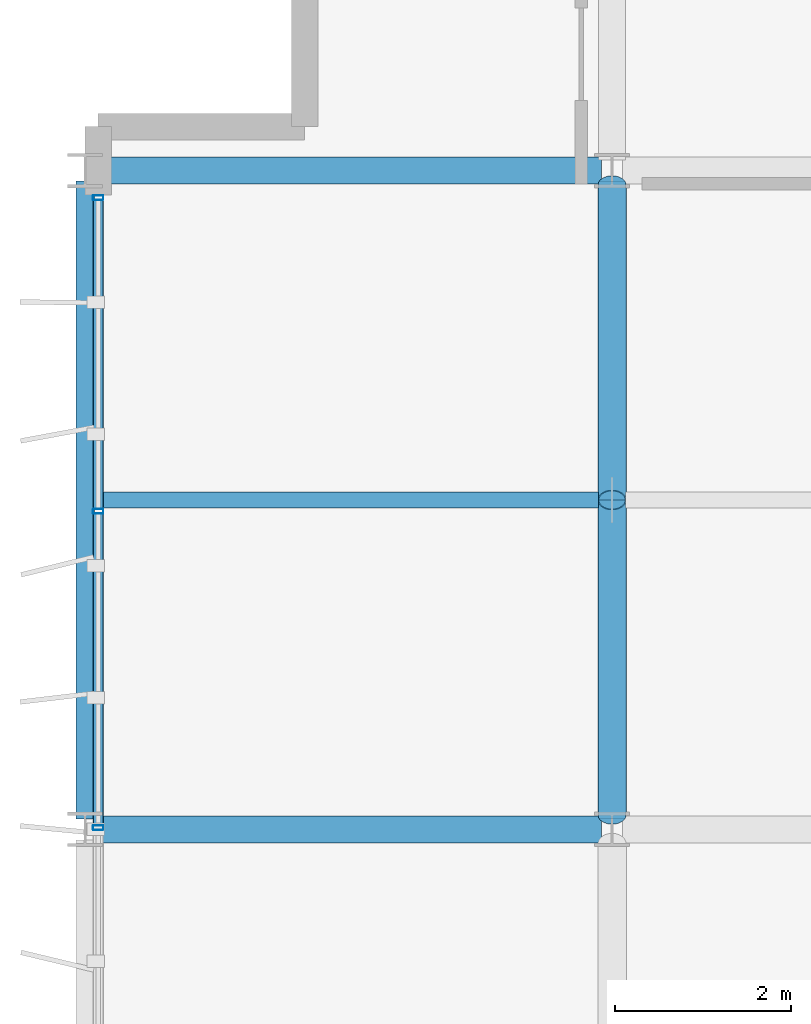
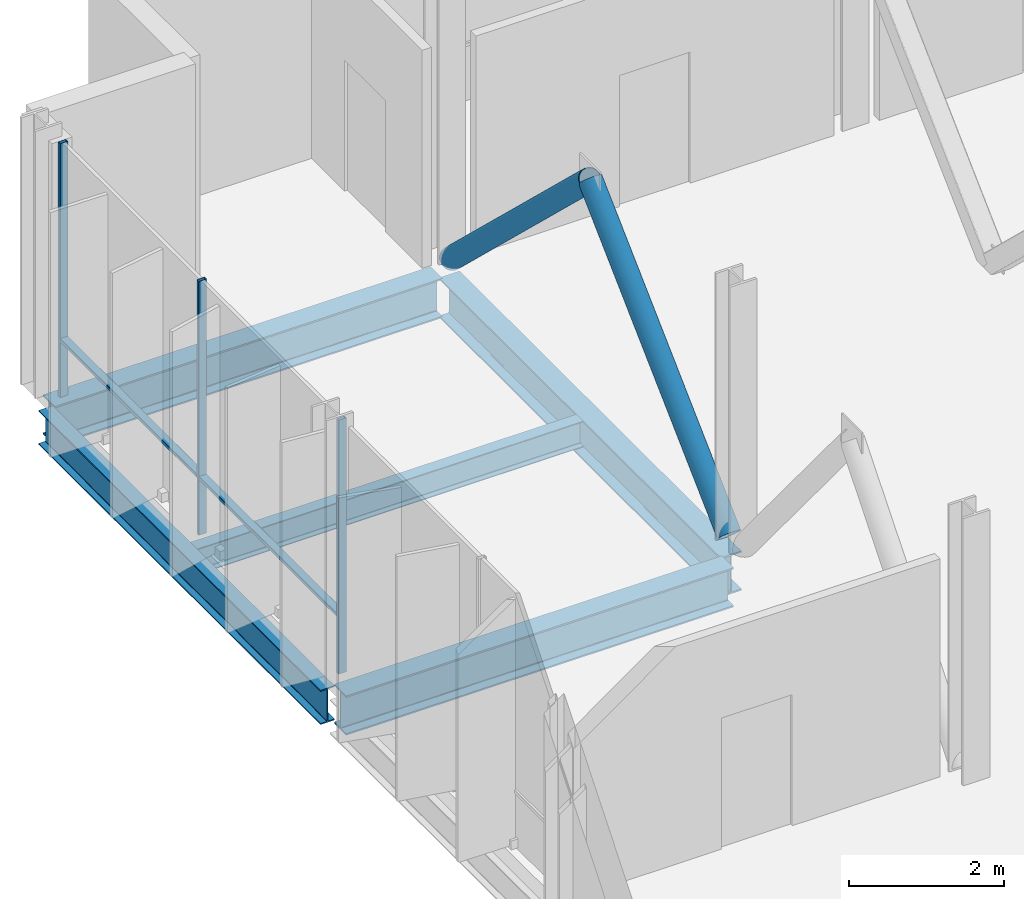
# One storey, part 6 of 33: 7 members, 5 beams, 1 element without a shape of its own.
"""IFC4 building model written with IfcOpenShell, lengths in metres."""

import ifcopenshell
import ifcopenshell.guid

model = None  # the IFC model being written
_history = None  # IfcOwnerHistory: only IFC2X3 demands one
_inside = {}  # id of a spatial element -> (the spatial element, [elements in it])
_under = {}  # id of a project, library or spatial element -> (it, [spatial elements below it])
_declared = {}  # id of a project -> (the project, [libraries it declares])
_typed = {}  # id of a type object -> (the type object, [elements of that type])
_made_of = {}  # id of a material, layer set ... -> (it, [elements and type objects made of it])


def new_model(schema):
    """Start an empty IFC model of exactly this schema.

    Asked for "IFC4X3", IfcOpenShell would pick the latest addendum, in which some entities
    have other attributes; the version numbers below select the first issue.
    IFC2X3 requires an IfcOwnerHistory on every rooted entity: one is made here for all.
    """
    global model, _history
    if schema == "IFC4X3":
        model = ifcopenshell.file(schema_version=(4, 3, 0, 0))
    else:
        model = ifcopenshell.file(schema=schema)
    _inside.clear()
    _under.clear()
    _declared.clear()
    _typed.clear()
    _made_of.clear()
    _history = None
    if model.schema == "IFC2X3":
        org = make("IfcOrganization", Name="unknown")
        user = make(
            "IfcPersonAndOrganization",
            ThePerson=make("IfcPerson", FamilyName="unknown"),
            TheOrganization=org,
        )
        app = make(
            "IfcApplication",
            ApplicationDeveloper=org,
            Version="unknown",
            ApplicationFullName="unknown",
            ApplicationIdentifier="unknown",
        )
        _history = make(
            "IfcOwnerHistory",
            OwningUser=user,
            OwningApplication=app,
            ChangeAction="ADDED",
            CreationDate=0,
        )
    return model


def make(cls, **values):
    """One entity of the class cls with the attributes given. An attribute that is None is left unset."""
    return model.create_entity(
        cls, **{name: value for name, value in values.items() if value is not None}
    )


def rooted(cls, **values):
    """An entity with a GlobalId (a new one), such as an element, a storey or a relation."""
    return make(cls, GlobalId=ifcopenshell.guid.new(), OwnerHistory=_history, **values)


def si_unit(unit_type, name, prefix=None):
    """IfcSIUnit, for example si_unit("LENGTHUNIT", "METRE", prefix="MILLI")."""
    return make("IfcSIUnit", UnitType=unit_type, Prefix=prefix, Name=name)


def assignment(units):
    """IfcUnitAssignment: the units of a project."""
    return None if units is None else make("IfcUnitAssignment", Units=units)


def point(xyz):
    """IfcCartesianPoint."""
    return None if xyz is None else make("IfcCartesianPoint", Coordinates=xyz)


def direction(xyz):
    """IfcDirection."""
    return None if xyz is None else make("IfcDirection", DirectionRatios=xyz)


def frame(location, z_axis=None, x_axis=None):
    """IfcAxis2Placement3D, a coordinate frame: its origin and axes. An axis left out is left unset."""
    return make(
        "IfcAxis2Placement3D",
        Location=point(location),
        Axis=direction(z_axis),
        RefDirection=direction(x_axis),
    )


def frame_2d(location, x_axis=None):
    """IfcAxis2Placement2D, a coordinate frame in the plane: its origin and x axis."""
    return make(
        "IfcAxis2Placement2D", Location=point(location), RefDirection=direction(x_axis)
    )


def origin():
    """The frame at (0, 0, 0) with its axes left unset."""
    return frame((0.0, 0.0, 0.0))


def origin_2d():
    """The frame at (0, 0) in the plane with its x axis left unset."""
    return frame_2d((0.0, 0.0))


def place(relative_to, where):
    """IfcLocalPlacement: puts the frame where relative to a parent placement (None: the world)."""
    return make(
        "IfcLocalPlacement", PlacementRelTo=relative_to, RelativePlacement=where
    )


def context(
    kind, dimensions, precision=None, world=None, true_north=None, identifier=None
):
    """IfcGeometricRepresentationContext, for example the 3D "Model" context."""
    return make(
        "IfcGeometricRepresentationContext",
        ContextIdentifier=identifier,
        ContextType=kind,
        CoordinateSpaceDimension=dimensions,
        Precision=precision,
        WorldCoordinateSystem=world,
        TrueNorth=true_north,
    )


def subcontext(parent, identifier, kind, view, scale=None):
    """IfcGeometricRepresentationSubContext, for example "Body" below "Model"."""
    return make(
        "IfcGeometricRepresentationSubContext",
        ContextIdentifier=identifier,
        ContextType=kind,
        ParentContext=parent,
        TargetScale=scale,
        TargetView=view,
    )


def project(units=None, contexts=None):
    """IfcProject with its units and contexts."""
    return rooted(
        "IfcProject",
        Name="project",
        RepresentationContexts=contexts,
        UnitsInContext=assignment(units),
    )


def spatial(cls, under=None, at=None, **own):
    """A site, building, storey or space (cls), placed at a placement, below another one or the project."""
    s = rooted(cls, ObjectPlacement=at, **own)
    if under is not None:
        _under.setdefault(under.id(), (under, []))[1].append(s)
    return s


def profile(cls, at=None, kind="AREA", **sizes):
    """A parametric profile (cls). Its sizes go by their IFC names, for example OverallWidth=200.0."""
    return make(cls, ProfileType=kind, Position=at, **sizes)


def hollow_rectangle(**sizes):
    """IfcRectangleHollowProfileDef."""
    return profile("IfcRectangleHollowProfileDef", **sizes)


def hollow_circle(**sizes):
    """IfcCircleHollowProfileDef."""
    return profile("IfcCircleHollowProfileDef", **sizes)


def i_section(**sizes):
    """IfcIShapeProfileDef."""
    return profile("IfcIShapeProfileDef", **sizes)


def extrude(swept, where, along, depth):
    """IfcExtrudedAreaSolid: the profile swept, set in the frame where, extruded along a direction by depth."""
    return make(
        "IfcExtrudedAreaSolid",
        SweptArea=swept,
        Position=where,
        ExtrudedDirection=direction(along),
        Depth=depth,
    )


def shape(context_of_items, identifier, shape_type, items):
    """IfcShapeRepresentation: the items that make up one representation, for example the "Body"."""
    return make(
        "IfcShapeRepresentation",
        ContextOfItems=context_of_items,
        RepresentationIdentifier=identifier,
        RepresentationType=shape_type,
        Items=items,
    )


def material(Name=None, Category=None):
    """IfcMaterial."""
    return make("IfcMaterial", Name=Name, Category=Category)


def layer(
    of_material, thickness, ventilated=None, Name=None, Category=None, Priority=None
):
    """IfcMaterialLayer: one layer of a wall or slab, of a material (None: an air gap)."""
    return make(
        "IfcMaterialLayer",
        Material=of_material,
        LayerThickness=thickness,
        IsVentilated=ventilated,
        Name=Name,
        Category=Category,
        Priority=Priority,
    )


def layer_set(layers, Name=None):
    """IfcMaterialLayerSet."""
    return make("IfcMaterialLayerSet", MaterialLayers=layers, LayerSetName=Name)


def material_profile(
    of_material, cross_section, Name=None, Category=None, Priority=None
):
    """IfcMaterialProfile: a cross section and its material."""
    return make(
        "IfcMaterialProfile",
        Name=Name,
        Material=of_material,
        Profile=cross_section,
        Priority=Priority,
        Category=Category,
    )


def profile_set(profiles, Name=None, composite=None):
    """IfcMaterialProfileSet."""
    return make(
        "IfcMaterialProfileSet",
        Name=Name,
        MaterialProfiles=profiles,
        CompositeProfile=composite,
    )


def made_of(thing, what):
    """Note that an element or type object is made of a material, layer set ...; save() writes the relation."""
    if what is not None:
        _made_of.setdefault(what.id(), (what, []))[1].append(thing)
    return thing


def type_object(cls, material=None, **own):
    """A type object (cls), such as IfcWallType, which elements share."""
    return made_of(rooted(cls, **own), material)


def element(
    cls,
    number,
    at=None,
    inside=None,
    cuts=None,
    type_object=None,
    material=None,
    context=None,
    identifier="Body",
    shape_type=None,
    held_by="IfcProductDefinitionShape",
    body=None,
    shapes=None,
    **own,
):
    """One element of the class cls, such as IfcWall. Its Tag is "e" and its number.

    at: its placement. inside: the storey or other place that contains it. cuts: it is an
    opening in that element (IfcRelVoidsElement). A single representation is given by context,
    identifier, shape_type and body (its items); several are given by shapes. held_by: the class
    of the entity that holds the representations. save() writes the other relations.
    """
    e = rooted(cls, Tag="e%d" % number, ObjectPlacement=at, **own)
    if body is not None:
        shapes = [shape(context, identifier, shape_type, body)]
    if shapes is not None:
        e.Representation = make(held_by, Representations=shapes)
    if inside is not None:
        _inside.setdefault(inside.id(), (inside, []))[1].append(e)
    if cuts is not None:
        rooted(
            "IfcRelVoidsElement", RelatingBuildingElement=cuts, RelatedOpeningElement=e
        )
    if type_object is not None:
        _typed.setdefault(type_object.id(), (type_object, []))[1].append(e)
    return made_of(e, material)


def aggregate(whole, parts):
    """IfcRelAggregates: a whole, such as a stair, and the parts it consists of."""
    return rooted("IfcRelAggregates", RelatingObject=whole, RelatedObjects=parts)


def save(model, path):
    """Write the relations noted so far, then the file.

    IfcRelAggregates (storeys below a building ...), IfcRelContainedInSpatialStructure (elements
    in a storey), IfcRelDefinesByType, IfcRelAssociatesMaterial and IfcRelDeclares: one each for
    every whole, place, type object, material and project.
    """
    for whole, parts in _under.values():
        aggregate(whole, parts)
    for where, things in _inside.values():
        rooted(
            "IfcRelContainedInSpatialStructure",
            RelatedElements=things,
            RelatingStructure=where,
        )
    for kind, things in _typed.values():
        rooted("IfcRelDefinesByType", RelatedObjects=things, RelatingType=kind)
    for what, things in _made_of.values():
        rooted("IfcRelAssociatesMaterial", RelatedObjects=things, RelatingMaterial=what)
    for by, libraries in _declared.values():
        rooted("IfcRelDeclares", RelatingContext=by, RelatedDefinitions=libraries)
    model.write(path)


model = new_model("IFC4")

# Units and contexts
model_context = context("Model", 3, precision=1e-05, world=origin(), true_north=direction((0.0, 1.0)))
body_context = subcontext(model_context, "Body", "Model", "MODEL_VIEW")
ifc_project = project(units=[si_unit("LENGTHUNIT", "METRE"), si_unit("AREAUNIT", "SQUARE_METRE"), si_unit("VOLUMEUNIT", "CUBIC_METRE"), si_unit("PLANEANGLEUNIT", "RADIAN"), si_unit("MASSUNIT", "GRAM", prefix="KILO")], contexts=[model_context])

# Site, building, storey
site_placement = place(None, origin())
site = spatial("IfcSite", under=ifc_project, at=site_placement, CompositionType="ELEMENT")
building_placement = place(site_placement, origin())
building = spatial("IfcBuilding", under=site, at=building_placement, Name="Brevholm Reach", CompositionType="ELEMENT")
storey_placement = place(building_placement, frame((0.0, 0.0, 179.0)))
storey = spatial("IfcBuildingStorey", under=building, at=storey_placement, Name="L54", CompositionType="ELEMENT", Elevation=179.0)

# Beams
ifc_material_1 = material(Name="Structural Steel S355J2", Category="steel")
ifc_material_profile_1 = material_profile(ifc_material_1, i_section(OverallWidth=0.177978515625, OverallDepth=0.406494140625, WebThickness=0.0078125, FlangeThickness=0.0126953125, FilletRadius=0.01025390625, at=origin_2d()), Name="UKB 406x178x60")
ifc_profile_set_1 = profile_set([ifc_material_profile_1], Name="Structural Steel S355J2")
beam_type_1 = type_object("IfcBeamType", Name="BM-B406", PredefinedType="BEAM", material=ifc_profile_set_1)
beam_1_placement = place(storey_placement, frame((0.10546875, 19.75, -0.463134765625), z_axis=(1.0, 0.0, 0.0), x_axis=(0.0, 1.0, 0.0)))
element("IfcBeam", 1, at=beam_1_placement, inside=storey, type_object=beam_type_1, Name="L54 Composite Secondary Floor Beam", PredefinedType="BEAM", context=body_context, shape_type="SweptSolid", body=[
    extrude(i_section(OverallWidth=0.177978515625, OverallDepth=0.406494140625, WebThickness=0.0078125, FlangeThickness=0.0126953125, FilletRadius=0.01025390625, at=origin_2d()), origin(), (0.0, 0.0, 1.0), 5.740966796875),
])
ifc_material_2 = material(Name="Structural Steel S355J2", Category="steel")
ifc_material_profile_2 = material_profile(ifc_material_2, i_section(OverallWidth=0.210693359375, OverallDepth=0.53955078125, WebThickness=0.01171875, FlangeThickness=0.018798828125, FilletRadius=0.0126953125, at=origin_2d()), Name="UKB 533x210x109")
ifc_profile_set_2 = profile_set([ifc_material_profile_2], Name="Structural Steel S355J2")
beam_type_2 = type_object("IfcBeamType", Name="BM-SP539", PredefinedType="SPANDREL", material=ifc_profile_set_2)
beam_2_placement = place(storey_placement, frame((0.0, 16.1201171875, -0.52978515625), z_axis=(0.0, 1.0, 0.0), x_axis=(-1.0, 0.0, 0.0)))
element("IfcBeam", 2, at=beam_2_placement, inside=storey, type_object=beam_type_2, Name="L54 SP-01B Framing Beam", PredefinedType="SPANDREL", context=body_context, shape_type="SweptSolid", body=[
    extrude(i_section(OverallWidth=0.210693359375, OverallDepth=0.53955078125, WebThickness=0.01171875, FlangeThickness=0.018798828125, FilletRadius=0.0126953125, at=origin_2d()), origin(), (0.0, 0.0, 1.0), 7.259765625),
])
ifc_material_3 = material(Name="Structural Steel S355J2", Category="steel")
ifc_material_profile_3 = material_profile(ifc_material_3, i_section(OverallWidth=0.30712890625, OverallDepth=0.6201171875, WebThickness=0.01416015625, FlangeThickness=0.023681640625, FilletRadius=0.0166015625, at=origin_2d()), Name="UKB 610x305x179")
ifc_profile_set_3 = profile_set([ifc_material_profile_3], Name="Structural Steel S355J2")
beam_type_3 = type_object("IfcBeamType", Name="BM-UKB610H", PredefinedType="USERDEFINED", material=ifc_profile_set_3)
for number, where, z_axis, x_axis, name in (
    (3, (0.1201171875, 16.0, -0.570068359375), (1.0, 0.0, 0.0), (0.0, 1.0, 0.0), "L54 G-06 Framing Beam"),
    (4, (0.1201171875, 23.5, -0.570068359375), (1.0, 0.0, 0.0), (0.0, 1.0, 0.0), "L54 G-06 Framing Beam"),
):
    element("IfcBeam", number, at=place(storey_placement, frame(where, z_axis=z_axis, x_axis=x_axis)), inside=storey, type_object=beam_type_3, Name=name, ObjectType="GIRDER", PredefinedType="USERDEFINED", context=body_context, shape_type="SweptSolid", body=[
        extrude(i_section(OverallWidth=0.30712890625, OverallDepth=0.6201171875, WebThickness=0.01416015625, FlangeThickness=0.023681640625, FilletRadius=0.0166015625, at=origin_2d()), origin(), (0.0, 0.0, 1.0), 5.759765625),
    ])
beam_3_placement = place(storey_placement, frame((6.0, 16.1201171875, -0.570068359375), z_axis=(0.0, 1.0, 0.0), x_axis=(-1.0, 0.0, 0.0)))
element("IfcBeam", 5, at=beam_3_placement, inside=storey, type_object=beam_type_3, Name="L54 G-06 Framing Beam", ObjectType="GIRDER", PredefinedType="USERDEFINED", context=body_context, shape_type="SweptSolid", body=[
    extrude(i_section(OverallWidth=0.30712890625, OverallDepth=0.6201171875, WebThickness=0.01416015625, FlangeThickness=0.023681640625, FilletRadius=0.0166015625, at=origin_2d()), origin(), (0.0, 0.0, 1.0), 7.259765625),
])

# Curtain wall, members
ifc_material_4 = material(Name="Dark Anodised Aluminium 6063-T6 and Solar-Control Glass", Category="aluminium")
ifc_layer = layer(ifc_material_4, 0.1201171875)
ifc_layer_set = layer_set([ifc_layer], Name="Dark Anodised Aluminium 6063-T6 and Solar-Control Glass")
curtain_wall_type = type_object("IfcCurtainWallType", Name="CW-06", PredefinedType="NOTDEFINED", material=ifc_layer_set)
curtain_wall_placement = place(storey_placement, origin())
curtain_wall = element("IfcCurtainWall", 6, at=curtain_wall_placement, inside=storey, type_object=curtain_wall_type, Name="L54 Curtain Wall CW-06", PredefinedType="NOTDEFINED")
ifc_material_5 = material(Name="Dark Anodised Aluminium 6063-T6", Category="aluminium")
ifc_material_profile_4 = material_profile(ifc_material_5, hollow_rectangle(XDim=0.054931640625, YDim=0.1201171875, WallThickness=0.00390625, InnerFilletRadius=0.00390625, OuterFilletRadius=0.008056640625, at=origin_2d()), Name="RHS 120x55x4")
ifc_profile_set_4 = profile_set([ifc_material_profile_4], Name="Dark Anodised Aluminium 6063-T6")
member_type_1 = type_object("IfcMemberType", Name="CWM-120", PredefinedType="MULLION", material=ifc_profile_set_4)
member_1_placement = place(storey_placement, frame((0.14990234375, 23.1923828125, 0.0), z_axis=(0.0, 0.0, 1.0), x_axis=(0.0, -1.0, 0.0)))
member_1 = element("IfcMember", 7, at=member_1_placement, type_object=member_type_1, Name="CM-120 Mullion 1", PredefinedType="MULLION", context=body_context, shape_type="SweptSolid", body=[
    extrude(hollow_rectangle(XDim=0.054931640625, YDim=0.1201171875, WallThickness=0.00390625, InnerFilletRadius=0.00390625, OuterFilletRadius=0.008056640625, at=origin_2d()), origin(), (0.0, 0.0, 1.0), 3.989990234375),
])
member_2_placement = place(storey_placement, frame((0.14990234375, 19.6201171875, 0.0), z_axis=(0.0, 0.0, 1.0), x_axis=(0.0, -1.0, 0.0)))
member_2 = element("IfcMember", 8, at=member_2_placement, type_object=member_type_1, Name="CM-120 Mullion 2", PredefinedType="MULLION", context=body_context, shape_type="SweptSolid", body=[
    extrude(hollow_rectangle(XDim=0.054931640625, YDim=0.1201171875, WallThickness=0.00390625, InnerFilletRadius=0.00390625, OuterFilletRadius=0.008056640625, at=origin_2d()), origin(), (0.0, 0.0, 1.0), 3.989990234375),
])
member_3_placement = place(storey_placement, frame((0.14990234375, 16.02001953125, 0.0), z_axis=(0.0, 0.0, 1.0), x_axis=(0.0, -1.0, 0.0)))
member_3 = element("IfcMember", 9, at=member_3_placement, type_object=member_type_1, Name="CM-120 Mullion 3", PredefinedType="MULLION", context=body_context, shape_type="SweptSolid", body=[
    extrude(hollow_rectangle(XDim=0.054931640625, YDim=0.1201171875, WallThickness=0.00390625, InnerFilletRadius=0.00390625, OuterFilletRadius=0.008056640625, at=origin_2d()), origin(), (0.0, 0.0, 1.0), 3.989990234375),
])
ifc_material_6 = material(Name="Dark Anodised Aluminium 6063-T6", Category="aluminium")
ifc_material_profile_5 = material_profile(ifc_material_6, hollow_rectangle(XDim=0.054931640625, YDim=0.1201171875, WallThickness=0.00390625, InnerFilletRadius=0.00390625, OuterFilletRadius=0.008056640625, at=origin_2d()), Name="RHS 120x55x4")
ifc_profile_set_5 = profile_set([ifc_material_profile_5], Name="Dark Anodised Aluminium 6063-T6")
member_type_2 = type_object("IfcMemberType", Name="CWT-120", PredefinedType="NOTDEFINED", material=ifc_profile_set_5)
member_4_placement = place(storey_placement, frame((0.14990234375, 23.1650390625, 0.89990234375), z_axis=(0.0, -1.0, 0.0), x_axis=(0.0, 0.0, 1.0)))
member_4 = element("IfcMember", 10, at=member_4_placement, type_object=member_type_2, Name="CT-120 Transom 1.1", ObjectType="TRANSOM", PredefinedType="USERDEFINED", context=body_context, shape_type="SweptSolid", body=[
    extrude(hollow_rectangle(XDim=0.054931640625, YDim=0.1201171875, WallThickness=0.00390625, InnerFilletRadius=0.00390625, OuterFilletRadius=0.008056640625, at=origin_2d()), origin(), (0.0, 0.0, 1.0), 3.517578125),
])
member_5_placement = place(storey_placement, frame((0.14990234375, 19.592529296875, 0.89990234375), z_axis=(0.0, -1.0, 0.0), x_axis=(0.0, 0.0, 1.0)))
member_5 = element("IfcMember", 11, at=member_5_placement, type_object=member_type_2, Name="CT-120 Transom 2.1", ObjectType="TRANSOM", PredefinedType="USERDEFINED", context=body_context, shape_type="SweptSolid", body=[
    extrude(hollow_rectangle(XDim=0.054931640625, YDim=0.1201171875, WallThickness=0.00390625, InnerFilletRadius=0.00390625, OuterFilletRadius=0.008056640625, at=origin_2d()), origin(), (0.0, 0.0, 1.0), 3.544921875),
])
aggregate(curtain_wall, [member_1, member_2, member_3, member_4, member_5])

# Members
ifc_material_7 = material(Name="Structural Steel S355J2H", Category="steel")
ifc_material_profile_6 = material_profile(ifc_material_7, hollow_circle(Radius=0.161865234375, WallThickness=0.012451171875, at=origin_2d()), Name="CHS 323.9x12.5")
ifc_profile_set_6 = profile_set([ifc_material_profile_6], Name="Structural Steel S355J2H")
member_type_3 = type_object("IfcMemberType", Name="MEM-BB-CHS324", PredefinedType="BRACE", material=ifc_profile_set_6)
for number, where, z_axis, x_axis, name in (
    (12, (6.0, 16.169921875, 0.02001953125), (0.0, 0.723539227798, 0.690283264927), (-1.0, 0.0, 0.0), "L54 Belt Truss Brace BB-02A"),
    (13, (6.0, 19.75, 3.435546875), (0.0, 0.723539227798, -0.690283264927), (-1.0, 0.0, 0.0), "L54 Belt Truss Brace BB-02B"),
):
    element("IfcMember", number, at=place(storey_placement, frame(where, z_axis=z_axis, x_axis=x_axis)), inside=storey, type_object=member_type_3, Name=name, PredefinedType="BRACE", context=body_context, shape_type="SweptSolid", body=[
        extrude(hollow_circle(Radius=0.161865234375, WallThickness=0.012451171875, at=origin_2d()), origin(), (0.0, 0.0, 1.0), 4.947998046875),
    ])

save(model, "model.ifc")
